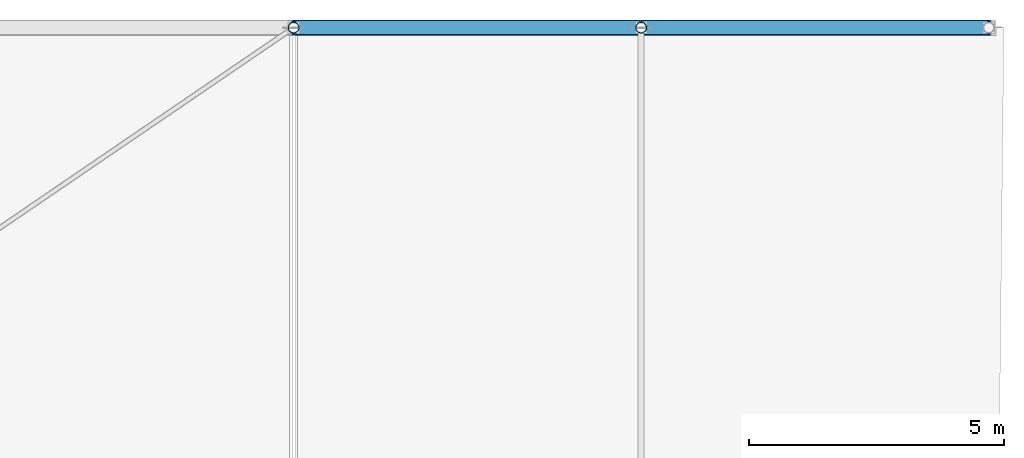
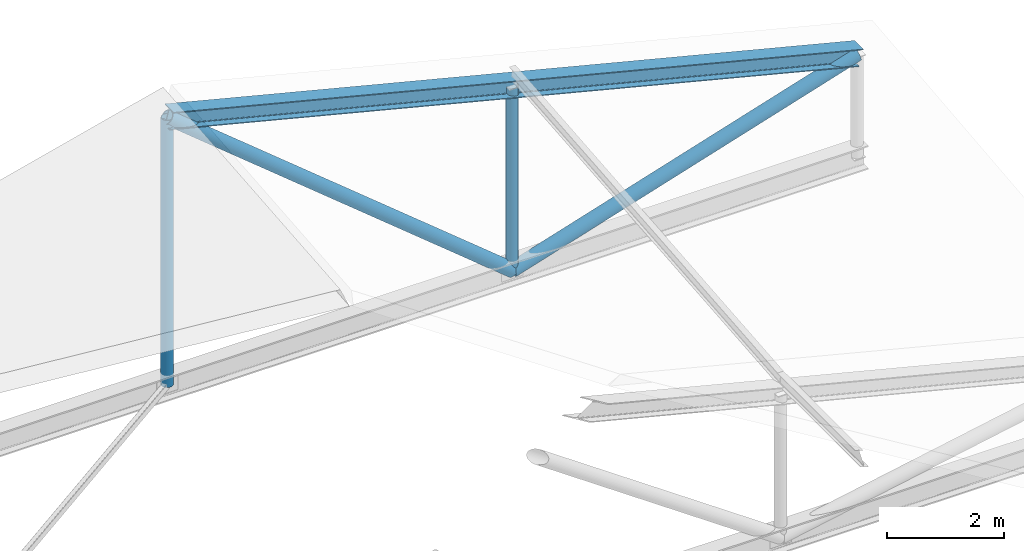
# One storey, part 37 of 56: 5 members.
"""IFC4 building model written with IfcOpenShell, lengths in metres."""

from ifc_helpers import new_model, si_unit, direction, frame, origin, origin_2d, place, context, subcontext, project, spatial, hollow_circle, i_section, extrude, material, material_profile, profile_set, type_object, element, save


model = new_model("IFC4")

# Units and contexts
model_context = context("Model", 3, precision=1e-05, world=origin(), true_north=direction((0.0, 1.0)))
body_context = subcontext(model_context, "Body", "Model", "MODEL_VIEW")
ifc_project = project(units=[si_unit("LENGTHUNIT", "METRE"), si_unit("AREAUNIT", "SQUARE_METRE"), si_unit("VOLUMEUNIT", "CUBIC_METRE"), si_unit("PLANEANGLEUNIT", "RADIAN"), si_unit("MASSUNIT", "GRAM", prefix="KILO")], contexts=[model_context])

# Site, building, storey
site_placement = place(None, origin())
site = spatial("IfcSite", under=ifc_project, at=site_placement, CompositionType="ELEMENT")
building_placement = place(site_placement, origin())
building = spatial("IfcBuilding", under=site, at=building_placement, Name="Bozkorgan Art Gallery", CompositionType="ELEMENT")
storey_placement = place(building_placement, frame((0.0, 0.0, 24.0)))
storey = spatial("IfcBuildingStorey", under=building, at=storey_placement, Name="L05", CompositionType="ELEMENT", Elevation=24.0)

# Members
ifc_material = material(Name="Steel S355J2", Category="steel")
ifc_material_profile_1 = material_profile(ifc_material, i_section(OverallWidth=0.300048828125, OverallDepth=0.35009765625, WebThickness=0.010009765625, FlangeThickness=0.017578125, FilletRadius=0.027099609375, at=origin_2d()), Name="HEA 360")
ifc_profile_set_1 = profile_set([ifc_material_profile_1], Name="Steel S355J2")
member_type_1 = type_object("IfcMemberType", Name="MEMBER-TC-31", PredefinedType="CHORD", material=ifc_profile_set_1)
member_1_placement = place(storey_placement, frame((150.5, 93.60009765625, 5.83740234375), z_axis=(0.969447019705, 0.0, -0.24530078676), x_axis=(0.0, 1.0, 0.0)))
element("IfcMember", 1, at=member_1_placement, inside=storey, type_object=member_type_1, Name="ROOF-V5-MAIN roof truss 5 east top chord", PredefinedType="CHORD", context=body_context, shape_type="SweptSolid", body=[
    extrude(i_section(OverallWidth=0.300048828125, OverallDepth=0.35009765625, WebThickness=0.010009765625, FlangeThickness=0.017578125, FilletRadius=0.027099609375, at=origin_2d()), origin(), (0.0, 0.0, 1.0), 14.080078125),
])
ifc_material_profile_2 = material_profile(ifc_material, hollow_circle(Radius=0.109619140625, WallThickness=0.010009765625, at=origin_2d()), Name="CHS 219.1x10")
ifc_profile_set_2 = profile_set([ifc_material_profile_2], Name="Steel S355J2")
member_type_2 = type_object("IfcMemberType", Name="MEMBER-TP-78", PredefinedType="POST", material=ifc_profile_set_2)
member_2_placement = place(storey_placement, frame((150.5, 93.60009765625, 0.25), z_axis=(0.0, 0.0, 1.0), x_axis=(1.0, 0.0, 0.0)))
element("IfcMember", 2, at=member_2_placement, inside=storey, type_object=member_type_2, Name="ROOF-V5-MAIN roof truss 5 post 3", PredefinedType="POST", context=body_context, shape_type="SweptSolid", body=[
    extrude(hollow_circle(Radius=0.109619140625, WallThickness=0.010009765625, at=origin_2d()), origin(), (0.0, 0.0, 1.0), 5.58740234375),
])
member_3_placement = place(storey_placement, frame((157.324951171875, 93.60009765625, 0.25), z_axis=(0.0, 0.0, 1.0), x_axis=(1.0, 0.0, 0.0)))
element("IfcMember", 3, at=member_3_placement, inside=storey, type_object=member_type_2, Name="ROOF-V5-MAIN roof truss 5 post 4", PredefinedType="POST", context=body_context, shape_type="SweptSolid", body=[
    extrude(hollow_circle(Radius=0.109619140625, WallThickness=0.010009765625, at=origin_2d()), origin(), (0.0, 0.0, 1.0), 3.860595703125),
])
ifc_material_profile_3 = material_profile(ifc_material, hollow_circle(Radius=0.136474609375, WallThickness=0.012451171875, at=origin_2d()), Name="CHS 273x12.5")
ifc_profile_set_3 = profile_set([ifc_material_profile_3], Name="Steel S355J2")
member_type_3 = type_object("IfcMemberType", Name="MEMBER-TW-28", PredefinedType="BRACE", material=ifc_profile_set_3)
member_4_placement = place(storey_placement, frame((150.5, 93.60009765625, 5.83740234375), z_axis=(0.773771047992, 0.0, -0.633465362344), x_axis=(0.0, 1.0, 0.0)))
element("IfcMember", 4, at=member_4_placement, inside=storey, type_object=member_type_3, Name="ROOF-V5-MAIN roof truss 5 diagonal 4", PredefinedType="BRACE", context=body_context, shape_type="SweptSolid", body=[
    extrude(hollow_circle(Radius=0.136474609375, WallThickness=0.012451171875, at=origin_2d()), origin(), (0.0, 0.0, 1.0), 8.8203125),
])
member_5_placement = place(storey_placement, frame((157.324951171875, 93.60009765625, 0.25), z_axis=(0.954450205015, 0.0, 0.298370250103), x_axis=(0.0, 1.0, 0.0)))
element("IfcMember", 5, at=member_5_placement, inside=storey, type_object=member_type_3, Name="ROOF-V5-MAIN roof truss 5 diagonal 5", PredefinedType="BRACE", context=body_context, shape_type="SweptSolid", body=[
    extrude(hollow_circle(Radius=0.136474609375, WallThickness=0.012451171875, at=origin_2d()), origin(), (0.0, 0.0, 1.0), 7.150634765625),
])

save(model, "model.ifc")
